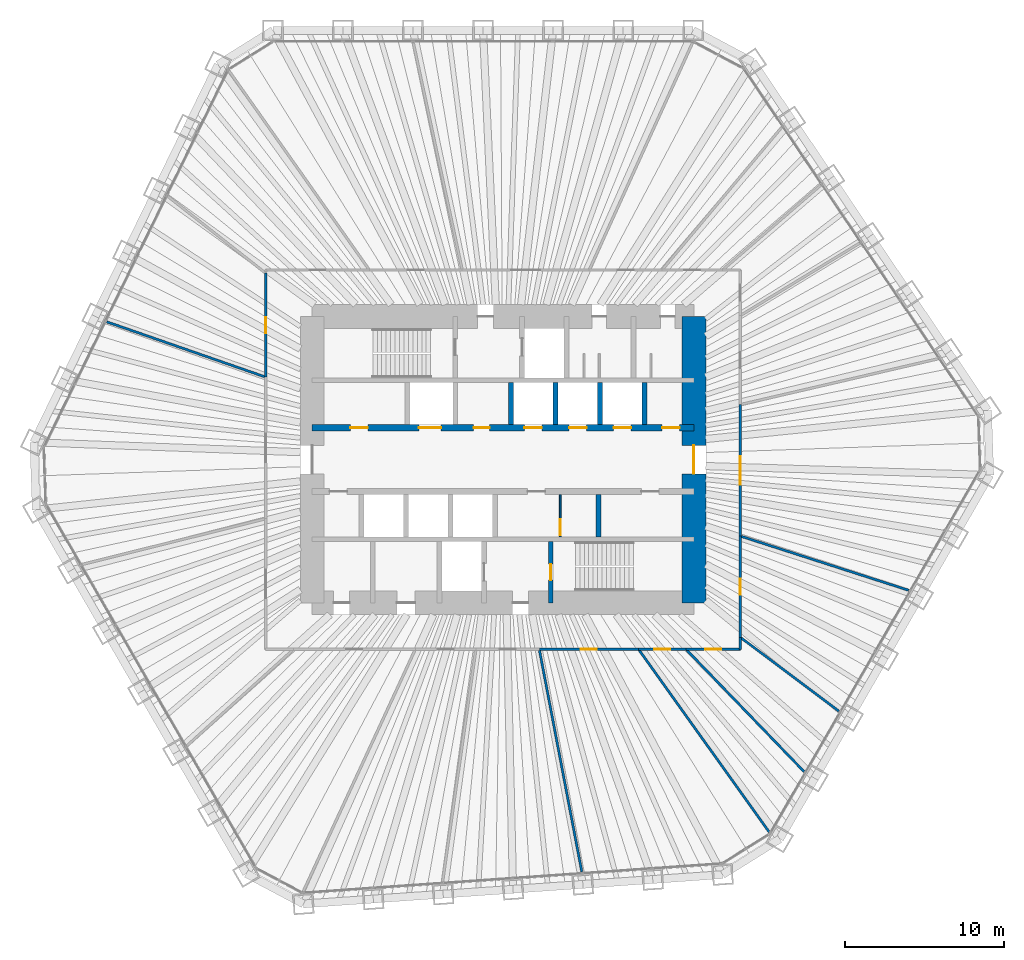
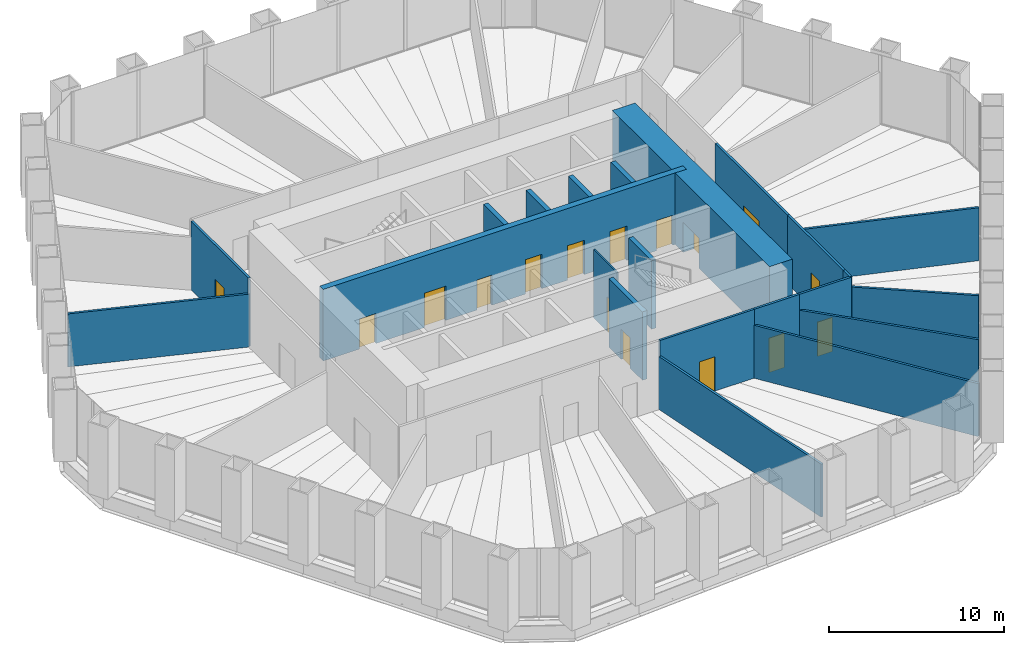
# One storey, part 11 of 14: 22 walls, 16 doors, 16 openings.
"""IFC4 building model written with IfcOpenShell, lengths in metres."""

from ifc_helpers import new_model, si_unit, direction, frame, frame_2d, origin, place, context, subcontext, project, spatial, rectangle, extrude, material, layer, layer_set, type_object, element, fill, save


model = new_model("IFC4")

# Units and contexts
model_context = context("Model", 3, precision=1e-05, world=origin(), true_north=direction((0.0, 1.0)))
body_context = subcontext(model_context, "Body", "Model", "MODEL_VIEW")
ifc_project = project(units=[si_unit("LENGTHUNIT", "METRE"), si_unit("AREAUNIT", "SQUARE_METRE"), si_unit("VOLUMEUNIT", "CUBIC_METRE"), si_unit("PLANEANGLEUNIT", "RADIAN"), si_unit("MASSUNIT", "GRAM", prefix="KILO")], contexts=[model_context])

# Site, building, storey
site_placement = place(None, origin())
site = spatial("IfcSite", under=ifc_project, at=site_placement, CompositionType="ELEMENT")
building_placement = place(site_placement, origin())
building = spatial("IfcBuilding", under=site, at=building_placement, Name="Qingtian Harvest Tower", CompositionType="ELEMENT")
storey_placement = place(building_placement, frame((0.0, 0.0, 82.0)))
storey = spatial("IfcBuildingStorey", under=building, at=storey_placement, Name="L16", CompositionType="ELEMENT", Elevation=82.0)

# Wall, openings, doors
ifc_material_1 = material(Name="Concrete fc' 70 MPa", Category="concrete")
ifc_layer_1 = layer(ifc_material_1, 0.39990234375)
ifc_layer_set_1 = layer_set([ifc_layer_1], Name="Core inner web RC6 400")
wall_type_1 = type_object("IfcWallType", Name="Core inner web RC6 400", PredefinedType="SHEAR", material=ifc_layer_set_1)
wall_1_placement = place(storey_placement, frame((-12.0, 2.0, 0.0), z_axis=(0.0, 0.0, 1.0), x_axis=(1.0, 0.0, 0.0)))
wall_1 = element("IfcWall", 1, at=wall_1_placement, inside=storey, type_object=wall_type_1, Name="Core wall IN2 L16", PredefinedType="SHEAR", context=body_context, shape_type="SweptSolid", body=[
    extrude(rectangle(XDim=24.0, YDim=0.39990234375, at=frame_2d((12.0, 0.0))), origin(), (0.0, 0.0, 1.0), 5.0),
])
opening_1_placement = place(wall_1_placement, frame((2.39990234375, 0.0, 0.0)))
opening_1 = element("IfcOpeningElement", 2, at=opening_1_placement, cuts=wall_1, Name="Opening FD4", PredefinedType="OPENING", context=body_context, shape_type="SweptSolid", body=[
    extrude(rectangle(XDim=1.10009765625, YDim=2.10009765625, at=frame_2d((0.550048828125, 1.050048828125))), frame((0.0, 0.2099609375, 0.0), z_axis=(0.0, -1.0, 0.0), x_axis=(1.0, 0.0, 0.0)), (0.0, 0.0, 1.0), 0.419921875),
])
opening_2_placement = place(wall_1_placement, frame((22.0, 0.0, 0.0)))
opening_2 = element("IfcOpeningElement", 3, at=opening_2_placement, cuts=wall_1, Name="Opening FD4", PredefinedType="OPENING", context=body_context, shape_type="SweptSolid", body=[
    extrude(rectangle(XDim=1.10009765625, YDim=2.10009765625, at=frame_2d((0.550048828125, 1.050048828125))), frame((0.0, 0.2099609375, 0.0), z_axis=(0.0, -1.0, 0.0), x_axis=(1.0, 0.0, 0.0)), (0.0, 0.0, 1.0), 0.419921875),
])
opening_3_placement = place(wall_1_placement, frame((10.14990234375, 0.0, 0.0)))
opening_3 = element("IfcOpeningElement", 4, at=opening_3_placement, cuts=wall_1, Name="Opening FD1", PredefinedType="OPENING", context=body_context, shape_type="SweptSolid", body=[
    extrude(rectangle(XDim=1.0, YDim=2.10009765625, at=frame_2d((0.5, 1.050048828125))), frame((0.0, 0.2099609375, 0.0), z_axis=(0.0, -1.0, 0.0), x_axis=(1.0, 0.0, 0.0)), (0.0, 0.0, 1.0), 0.419921875),
])
opening_4_placement = place(wall_1_placement, frame((6.699951171875, 0.0, 0.0)))
opening_4 = element("IfcOpeningElement", 5, at=opening_4_placement, cuts=wall_1, Name="Opening LD2", PredefinedType="OPENING", context=body_context, shape_type="SweptSolid", body=[
    extrude(rectangle(XDim=1.39990234375, YDim=2.39990234375, at=frame_2d((0.699951171875, 1.199951171875))), frame((0.0, 0.2099609375, 0.0), z_axis=(0.0, -1.0, 0.0), x_axis=(1.0, 0.0, 0.0)), (0.0, 0.0, 1.0), 0.419921875),
])
opening_5_placement = place(wall_1_placement, frame((13.35009765625, 0.0, 0.0)))
opening_5 = element("IfcOpeningElement", 6, at=opening_5_placement, cuts=wall_1, Name="Opening LD1", PredefinedType="OPENING", context=body_context, shape_type="SweptSolid", body=[
    extrude(rectangle(XDim=1.10009765625, YDim=2.39990234375, at=frame_2d((0.550048828125, 1.199951171875))), frame((0.0, 0.2099609375, 0.0), z_axis=(0.0, -1.0, 0.0), x_axis=(1.0, 0.0, 0.0)), (0.0, 0.0, 1.0), 0.419921875),
])
opening_6_placement = place(wall_1_placement, frame((16.14990234375, 0.0, 0.0)))
opening_6 = element("IfcOpeningElement", 7, at=opening_6_placement, cuts=wall_1, Name="Opening LD1", PredefinedType="OPENING", context=body_context, shape_type="SweptSolid", body=[
    extrude(rectangle(XDim=1.10009765625, YDim=2.39990234375, at=frame_2d((0.550048828125, 1.199951171875))), frame((0.0, 0.2099609375, 0.0), z_axis=(0.0, -1.0, 0.0), x_axis=(1.0, 0.0, 0.0)), (0.0, 0.0, 1.0), 0.419921875),
])
opening_7_placement = place(wall_1_placement, frame((18.949951171875, 0.0, 0.0)))
opening_7 = element("IfcOpeningElement", 8, at=opening_7_placement, cuts=wall_1, Name="Opening LD1", PredefinedType="OPENING", context=body_context, shape_type="SweptSolid", body=[
    extrude(rectangle(XDim=1.10009765625, YDim=2.39990234375, at=frame_2d((0.550048828125, 1.199951171875))), frame((0.0, 0.2099609375, 0.0), z_axis=(0.0, -1.0, 0.0), x_axis=(1.0, 0.0, 0.0)), (0.0, 0.0, 1.0), 0.419921875),
])
ifc_material_2 = material(Name="Steel-faced door leaf", Category="steel")
door_type_1 = type_object("IfcDoorType", Name="Fire door FD1 single 1 HR", OperationType="SINGLE_SWING_LEFT", PredefinedType="DOOR", material=ifc_material_2)
door_1_placement = place(opening_3_placement, origin())
door_1 = element("IfcDoor", 9, at=door_1_placement, inside=storey, type_object=door_type_1, Name="STA door L16", OperationType="SINGLE_SWING_RIGHT", OverallHeight=2.10009765625, OverallWidth=1.0, PredefinedType="DOOR", context=body_context, shape_type="SweptSolid", body=[
    extrude(rectangle(XDim=1.0, YDim=2.10009765625, at=frame_2d((0.5, 1.050048828125))), frame((0.0, 0.02490234375, 0.0), z_axis=(0.0, -1.0, 0.0), x_axis=(1.0, 0.0, 0.0)), (0.0, 0.0, 1.0), 0.050048828125),
])
fill(opening_3, door_1)
ifc_material_3 = material(Name="Steel-faced door leaf", Category="steel")
door_type_2 = type_object("IfcDoorType", Name="Fire door FD4 single 2 HR", OperationType="SINGLE_SWING_LEFT", PredefinedType="DOOR", material=ifc_material_3)
door_2_placement = place(opening_1_placement, origin())
door_2 = element("IfcDoor", 10, at=door_2_placement, inside=storey, type_object=door_type_2, Name="RA door L16", OperationType="SINGLE_SWING_RIGHT", OverallHeight=2.10009765625, OverallWidth=1.10009765625, PredefinedType="DOOR", context=body_context, shape_type="SweptSolid", body=[
    extrude(rectangle(XDim=1.10009765625, YDim=2.10009765625, at=frame_2d((0.550048828125, 1.050048828125))), frame((0.0, 0.02490234375, 0.0), z_axis=(0.0, -1.0, 0.0), x_axis=(1.0, 0.0, 0.0)), (0.0, 0.0, 1.0), 0.050048828125),
])
fill(opening_1, door_2)
door_3_placement = place(opening_2_placement, origin())
door_3 = element("IfcDoor", 11, at=door_3_placement, inside=storey, type_object=door_type_2, Name="AHU door L16", OperationType="SINGLE_SWING_LEFT", OverallHeight=2.10009765625, OverallWidth=1.10009765625, PredefinedType="DOOR", context=body_context, shape_type="SweptSolid", body=[
    extrude(rectangle(XDim=1.10009765625, YDim=2.10009765625, at=frame_2d((0.550048828125, 1.050048828125))), frame((0.0, 0.02490234375, 0.0), z_axis=(0.0, -1.0, 0.0), x_axis=(1.0, 0.0, 0.0)), (0.0, 0.0, 1.0), 0.050048828125),
])
fill(opening_2, door_3)
ifc_material_4 = material(Name="Stainless steel lift landing door", Category="steel")
door_type_3 = type_object("IfcDoorType", Name="Goods lift landing door LD2 1 HR", OperationType="DOUBLE_DOOR_SLIDING", PredefinedType="DOOR", material=ifc_material_4)
door_4_placement = place(opening_4_placement, origin())
door_4 = element("IfcDoor", 12, at=door_4_placement, inside=storey, type_object=door_type_3, Name="GL1 landing door L16", OperationType="DOUBLE_DOOR_SLIDING", OverallHeight=2.39990234375, OverallWidth=1.39990234375, PredefinedType="DOOR", context=body_context, shape_type="SweptSolid", body=[
    extrude(rectangle(XDim=1.39990234375, YDim=2.39990234375, at=frame_2d((0.699951171875, 1.199951171875))), frame((0.0, 0.02490234375, 0.0), z_axis=(0.0, -1.0, 0.0), x_axis=(1.0, 0.0, 0.0)), (0.0, 0.0, 1.0), 0.050048828125),
])
fill(opening_4, door_4)
ifc_material_5 = material(Name="Stainless steel lift landing door", Category="steel")
door_type_4 = type_object("IfcDoorType", Name="Lift landing door LD1 1 HR", OperationType="DOUBLE_DOOR_SLIDING", PredefinedType="DOOR", material=ifc_material_5)
door_5_placement = place(opening_5_placement, origin())
door_5 = element("IfcDoor", 13, at=door_5_placement, inside=storey, type_object=door_type_4, Name="PLA1 landing door L16", OperationType="DOUBLE_DOOR_SLIDING", OverallHeight=2.39990234375, OverallWidth=1.10009765625, PredefinedType="DOOR", context=body_context, shape_type="SweptSolid", body=[
    extrude(rectangle(XDim=1.10009765625, YDim=2.39990234375, at=frame_2d((0.550048828125, 1.199951171875))), frame((0.0, 0.02490234375, 0.0), z_axis=(0.0, -1.0, 0.0), x_axis=(1.0, 0.0, 0.0)), (0.0, 0.0, 1.0), 0.050048828125),
])
fill(opening_5, door_5)
door_6_placement = place(opening_6_placement, origin())
door_6 = element("IfcDoor", 14, at=door_6_placement, inside=storey, type_object=door_type_4, Name="PLA2 landing door L16", OperationType="DOUBLE_DOOR_SLIDING", OverallHeight=2.39990234375, OverallWidth=1.10009765625, PredefinedType="DOOR", context=body_context, shape_type="SweptSolid", body=[
    extrude(rectangle(XDim=1.10009765625, YDim=2.39990234375, at=frame_2d((0.550048828125, 1.199951171875))), frame((0.0, 0.02490234375, 0.0), z_axis=(0.0, -1.0, 0.0), x_axis=(1.0, 0.0, 0.0)), (0.0, 0.0, 1.0), 0.050048828125),
])
fill(opening_6, door_6)
door_7_placement = place(opening_7_placement, origin())
door_7 = element("IfcDoor", 15, at=door_7_placement, inside=storey, type_object=door_type_4, Name="PLA3 landing door L16", OperationType="DOUBLE_DOOR_SLIDING", OverallHeight=2.39990234375, OverallWidth=1.10009765625, PredefinedType="DOOR", context=body_context, shape_type="SweptSolid", body=[
    extrude(rectangle(XDim=1.10009765625, YDim=2.39990234375, at=frame_2d((0.550048828125, 1.199951171875))), frame((0.0, 0.02490234375, 0.0), z_axis=(0.0, -1.0, 0.0), x_axis=(1.0, 0.0, 0.0)), (0.0, 0.0, 1.0), 0.050048828125),
])
fill(opening_7, door_7)

# Walls
ifc_material_6 = material(Name="Precast concrete shaft panel", Category="concrete")
ifc_layer_2 = layer(ifc_material_6, 0.300048828125)
ifc_layer_set_2 = layer_set([ifc_layer_2], Name="Core shaft partition SW1 300")
wall_type_2 = type_object("IfcWallType", Name="Core shaft partition SW1 300", PredefinedType="PARTITIONING", material=ifc_layer_set_2)
for number, where, z_axis, x_axis, name in (
    (16, (0.5, 2.199951171875, 0.0), (0.0, 0.0, 1.0), (0.0, 1.0, 0.0), "Core shaft partition XA3 L16"),
    (17, (3.300048828125, 2.199951171875, 0.0), (0.0, 0.0, 1.0), (0.0, 1.0, 0.0), "Core shaft partition XA4 L16"),
    (18, (6.10009765625, 2.199951171875, 0.0), (0.0, 0.0, 1.0), (0.0, 1.0, 0.0), "Core shaft partition XA5 L16"),
    (19, (8.89990234375, 2.199951171875, 0.0), (0.0, 0.0, 1.0), (0.0, 1.0, 0.0), "Core shaft partition XA6 L16"),
    (20, (6.0, -4.85009765625, 0.0), (0.0, 0.0, 1.0), (0.0, 1.0, 0.0), "Core shaft partition XB5 L16"),
):
    element("IfcWall", number, at=place(storey_placement, frame(where, z_axis=z_axis, x_axis=x_axis)), inside=storey, type_object=wall_type_2, Name=name, PredefinedType="PARTITIONING", context=body_context, shape_type="SweptSolid", body=[
        extrude(rectangle(XDim=2.650146484375, YDim=0.300048828125, at=frame_2d((1.3251953125, 0.0))), origin(), (0.0, 0.0, 1.0), 4.780029296875),
    ])

# Wall, opening, door
wall_2_placement = place(storey_placement, frame((3.0, -9.0, 0.0), z_axis=(0.0, 0.0, 1.0), x_axis=(0.0, 1.0, 0.0)))
wall_2 = element("IfcWall", 21, at=wall_2_placement, inside=storey, type_object=wall_type_2, Name="Core shaft partition XS4 L16", PredefinedType="PARTITIONING", context=body_context, shape_type="SweptSolid", body=[
    extrude(rectangle(XDim=3.85009765625, YDim=0.300048828125, at=frame_2d((1.925048828125, 0.0))), origin(), (0.0, 0.0, 1.0), 4.780029296875),
])
opening_8_placement = place(wall_2_placement, frame((1.425048828125, 0.0, 0.0)))
opening_8 = element("IfcOpeningElement", 22, at=opening_8_placement, cuts=wall_2, Name="Opening FD1", PredefinedType="OPENING", context=body_context, shape_type="SweptSolid", body=[
    extrude(rectangle(XDim=1.0, YDim=2.10009765625, at=frame_2d((0.5, 1.050048828125))), frame((0.0, 0.159912109375, 0.0), z_axis=(0.0, -1.0, 0.0), x_axis=(1.0, 0.0, 0.0)), (0.0, 0.0, 1.0), 0.320068359375),
])
door_8_placement = place(opening_8_placement, origin())
door_8 = element("IfcDoor", 23, at=door_8_placement, inside=storey, type_object=door_type_1, Name="S2 door L16", OperationType="SINGLE_SWING_RIGHT", OverallHeight=2.10009765625, OverallWidth=1.0, PredefinedType="DOOR", context=body_context, shape_type="SweptSolid", body=[
    extrude(rectangle(XDim=1.0, YDim=2.10009765625, at=frame_2d((0.5, 1.050048828125))), frame((0.0, 0.02490234375, 0.0), z_axis=(0.0, -1.0, 0.0), x_axis=(1.0, 0.0, 0.0)), (0.0, 0.0, 1.0), 0.050048828125),
])
fill(opening_8, door_8)

ifc_material_7 = material(Name="Concrete fc' 70 MPa", Category="concrete")
ifc_layer_3 = layer(ifc_material_7, 1.5)
ifc_layer_set_3 = layer_set([ifc_layer_3], Name="Core wall RC1 1500")
wall_type_3 = type_object("IfcWallType", Name="Core wall RC1 1500", PredefinedType="SHEAR", material=ifc_layer_set_3)
wall_3_placement = place(storey_placement, frame((12.0, -9.0, 0.0), z_axis=(0.0, 0.0, 1.0), x_axis=(0.0, 1.0, 0.0)))
wall_3 = element("IfcWall", 24, at=wall_3_placement, inside=storey, type_object=wall_type_3, Name="Core wall CE L16", PredefinedType="SHEAR", context=body_context, shape_type="SweptSolid", body=[
    extrude(rectangle(XDim=18.0, YDim=1.5, at=frame_2d((9.0, 0.0))), origin(), (0.0, 0.0, 1.0), 5.0),
])
opening_9_placement = place(wall_3_placement, frame((8.10009765625, 0.0, 0.0)))
opening_9 = element("IfcOpeningElement", 25, at=opening_9_placement, cuts=wall_3, Name="Opening FD2", PredefinedType="OPENING", context=body_context, shape_type="SweptSolid", body=[
    extrude(rectangle(XDim=1.800048828125, YDim=2.10009765625, at=frame_2d((0.89990234375, 1.050048828125))), frame((0.0, 0.760009765625, 0.0), z_axis=(0.0, -1.0, 0.0), x_axis=(1.0, 0.0, 0.0)), (0.0, 0.0, 1.0), 1.52001953125),
])
ifc_material_8 = material(Name="Steel-faced door leaf", Category="steel")
door_type_5 = type_object("IfcDoorType", Name="Fire door FD2 double 1 HR", OperationType="DOUBLE_DOOR_DOUBLE_SWING", PredefinedType="DOOR", material=ifc_material_8)
door_9_placement = place(opening_9_placement, origin())
door_9 = element("IfcDoor", 26, at=door_9_placement, inside=storey, type_object=door_type_5, Name="LOBBY-E door L16", OperationType="DOUBLE_DOOR_DOUBLE_SWING", OverallHeight=2.10009765625, OverallWidth=1.800048828125, PredefinedType="DOOR", context=body_context, shape_type="SweptSolid", body=[
    extrude(rectangle(XDim=1.800048828125, YDim=2.10009765625, at=frame_2d((0.89990234375, 1.050048828125))), frame((0.0, 0.02490234375, 0.0), z_axis=(0.0, -1.0, 0.0), x_axis=(1.0, 0.0, 0.0)), (0.0, 0.0, 1.0), 0.050048828125),
])
fill(opening_9, door_9)

# Walls
ifc_material_9 = material(Name="Gypsum board on steel studs", Category="steel")
ifc_layer_4 = layer(ifc_material_9, 0.14990234375)
ifc_layer_set_4 = layer_set([ifc_layer_4], Name="Partition PT1 150")
wall_type_4 = type_object("IfcWallType", Name="Partition PT1 150", PredefinedType="PARTITIONING", material=ifc_layer_set_4)
wall_4_placement = place(storey_placement, frame((4.955078125, -25.918212890625, 0.0), z_axis=(0.0, 0.0, 1.0), x_axis=(-0.187784559803, 0.982210241801, 0.0)))
element("IfcWall", 27, at=wall_4_placement, inside=storey, type_object=wall_type_4, Name="Seed lab wall L16", PredefinedType="PARTITIONING", context=body_context, shape_type="SweptSolid", body=[
    extrude(rectangle(XDim=14.24658203125, YDim=0.14990234375, at=frame_2d((7.123291015625, 0.0))), origin(), (0.0, 0.0, 1.0), 3.699951171875),
])
wall_5_placement = place(storey_placement, frame((-24.92333984375, 8.66796875, 0.0), z_axis=(0.0, 0.0, 1.0), x_axis=(0.944507686068, -0.328489316354, 0.0)))
element("IfcWall", 28, at=wall_5_placement, inside=storey, type_object=wall_type_4, Name="Genomics lab wall L16", PredefinedType="PARTITIONING", context=body_context, shape_type="SweptSolid", body=[
    extrude(rectangle(XDim=10.585693359375, YDim=0.14990234375, at=frame_2d((5.29296875, 0.0))), origin(), (0.0, 0.0, 1.0), 3.699951171875),
])

# Wall, opening, door
wall_6_placement = place(storey_placement, frame((-14.925048828125, 5.190673828125, 0.0), z_axis=(0.0, 0.0, 1.0), x_axis=(0.0, 1.0, 0.0)))
wall_6 = element("IfcWall", 29, at=wall_6_placement, inside=storey, type_object=wall_type_4, Name="Genomics lab wall L16", PredefinedType="PARTITIONING", context=body_context, shape_type="SweptSolid", body=[
    extrude(rectangle(XDim=6.533203125, YDim=0.14990234375, at=frame_2d((3.2666015625, 0.0))), origin(), (0.0, 0.0, 1.0), 4.800048828125),
])
opening_10_placement = place(wall_6_placement, frame((2.7666015625, 0.0, 0.0)))
opening_10 = element("IfcOpeningElement", 30, at=opening_10_placement, cuts=wall_6, Name="Opening D2", PredefinedType="OPENING", context=body_context, shape_type="SweptSolid", body=[
    extrude(rectangle(XDim=1.0, YDim=2.39990234375, at=frame_2d((0.5, 1.199951171875))), frame((0.0, 0.0849609375, 0.0), z_axis=(0.0, -1.0, 0.0), x_axis=(1.0, 0.0, 0.0)), (0.0, 0.0, 1.0), 0.169921875),
])
ifc_material_10 = material(Name="Laminated timber door leaf", Category="wood")
door_type_6 = type_object("IfcDoorType", Name="Room door D2 single", OperationType="SINGLE_SWING_LEFT", PredefinedType="DOOR", material=ifc_material_10)
door_10_placement = place(opening_10_placement, origin())
door_10 = element("IfcDoor", 31, at=door_10_placement, inside=storey, type_object=door_type_6, Name="Genomics lab door L16", OperationType="SINGLE_SWING_LEFT", OverallHeight=2.39990234375, OverallWidth=1.0, PredefinedType="DOOR", context=body_context, shape_type="SweptSolid", body=[
    extrude(rectangle(XDim=1.0, YDim=2.39990234375, at=frame_2d((0.5, 1.199951171875))), frame((0.0, 0.02490234375, 0.0), z_axis=(0.0, -1.0, 0.0), x_axis=(1.0, 0.0, 0.0)), (0.0, 0.0, 1.0), 0.050048828125),
])
fill(opening_10, door_10)

wall_7_placement = place(storey_placement, frame((14.925048828125, 3.460693359375, 0.0), z_axis=(0.0, 0.0, 1.0), x_axis=(0.0, -1.0, 0.0)))
wall_7 = element("IfcWall", 32, at=wall_7_placement, inside=storey, type_object=wall_type_4, Name="Specimen store wall L16", PredefinedType="PARTITIONING", context=body_context, shape_type="SweptSolid", body=[
    extrude(rectangle(XDim=8.266845703125, YDim=0.14990234375, at=frame_2d((4.13330078125, 0.0))), origin(), (0.0, 0.0, 1.0), 4.800048828125),
])
opening_11_placement = place(wall_7_placement, frame((3.2333984375, 0.0, 0.0)))
opening_11 = element("IfcOpeningElement", 33, at=opening_11_placement, cuts=wall_7, Name="Opening D3", PredefinedType="OPENING", context=body_context, shape_type="SweptSolid", body=[
    extrude(rectangle(XDim=1.800048828125, YDim=2.39990234375, at=frame_2d((0.89990234375, 1.199951171875))), frame((0.0, 0.0849609375, 0.0), z_axis=(0.0, -1.0, 0.0), x_axis=(1.0, 0.0, 0.0)), (0.0, 0.0, 1.0), 0.169921875),
])
ifc_material_11 = material(Name="Laminated timber door leaf", Category="wood")
door_type_7 = type_object("IfcDoorType", Name="Room door D3 double", OperationType="DOUBLE_DOOR_DOUBLE_SWING", PredefinedType="DOOR", material=ifc_material_11)
door_11_placement = place(opening_11_placement, origin())
door_11 = element("IfcDoor", 34, at=door_11_placement, inside=storey, type_object=door_type_7, Name="Specimen store door L16", OperationType="DOUBLE_DOOR_DOUBLE_SWING", OverallHeight=2.39990234375, OverallWidth=1.800048828125, PredefinedType="DOOR", context=body_context, shape_type="SweptSolid", body=[
    extrude(rectangle(XDim=1.800048828125, YDim=2.39990234375, at=frame_2d((0.89990234375, 1.199951171875))), frame((0.0, 0.02490234375, 0.0), z_axis=(0.0, -1.0, 0.0), x_axis=(1.0, 0.0, 0.0)), (0.0, 0.0, 1.0), 0.050048828125),
])
fill(opening_11, door_11)

# Wall
wall_8_placement = place(storey_placement, frame((25.512451171875, -8.215576171875, 0.0), z_axis=(0.0, 0.0, 1.0), x_axis=(-0.951862620244, 0.306524961761, 0.0)))
element("IfcWall", 35, at=wall_8_placement, inside=storey, type_object=wall_type_4, Name="Research office wall L16", PredefinedType="PARTITIONING", context=body_context, shape_type="SweptSolid", body=[
    extrude(rectangle(XDim=11.122802734375, YDim=0.14990234375, at=frame_2d((5.5615234375, 0.0))), origin(), (0.0, 0.0, 1.0), 3.699951171875),
])

# Wall, opening, door
wall_9_placement = place(storey_placement, frame((14.925048828125, -4.80615234375, 0.0), z_axis=(0.0, 0.0, 1.0), x_axis=(0.0, -1.0, 0.0)))
wall_9 = element("IfcWall", 36, at=wall_9_placement, inside=storey, type_object=wall_type_4, Name="Research office wall L16", PredefinedType="PARTITIONING", context=body_context, shape_type="SweptSolid", body=[
    extrude(rectangle(XDim=6.36865234375, YDim=0.14990234375, at=frame_2d((3.184326171875, 0.0))), origin(), (0.0, 0.0, 1.0), 4.800048828125),
])
opening_12_placement = place(wall_9_placement, frame((2.684326171875, 0.0, 0.0)))
opening_12 = element("IfcOpeningElement", 37, at=opening_12_placement, cuts=wall_9, Name="Opening D2", PredefinedType="OPENING", context=body_context, shape_type="SweptSolid", body=[
    extrude(rectangle(XDim=1.0, YDim=2.39990234375, at=frame_2d((0.5, 1.199951171875))), frame((0.0, 0.0849609375, 0.0), z_axis=(0.0, -1.0, 0.0), x_axis=(1.0, 0.0, 0.0)), (0.0, 0.0, 1.0), 0.169921875),
])
door_12_placement = place(opening_12_placement, origin())
door_12 = element("IfcDoor", 38, at=door_12_placement, inside=storey, type_object=door_type_6, Name="Research office door L16", OperationType="SINGLE_SWING_RIGHT", OverallHeight=2.39990234375, OverallWidth=1.0, PredefinedType="DOOR", context=body_context, shape_type="SweptSolid", body=[
    extrude(rectangle(XDim=1.0, YDim=2.39990234375, at=frame_2d((0.5, 1.199951171875))), frame((0.0, 0.02490234375, 0.0), z_axis=(0.0, -1.0, 0.0), x_axis=(1.0, 0.0, 0.0)), (0.0, 0.0, 1.0), 0.050048828125),
])
fill(opening_12, door_12)

# Walls
wall_10_placement = place(storey_placement, frame((21.123046875, -15.8154296875, 0.0), z_axis=(0.0, 0.0, 1.0), x_axis=(-0.800487841468, 0.59934899321, 0.0)))
element("IfcWall", 39, at=wall_10_placement, inside=storey, type_object=wall_type_4, Name="Seed store wall L16", PredefinedType="PARTITIONING", context=body_context, shape_type="SweptSolid", body=[
    extrude(rectangle(XDim=7.74267578125, YDim=0.14990234375, at=frame_2d((3.871337890625, 0.0))), origin(), (0.0, 0.0, 1.0), 3.699951171875),
])
wall_11_placement = place(storey_placement, frame((14.925048828125, -11.1748046875, 0.0), z_axis=(0.0, 0.0, 1.0), x_axis=(0.0, -1.0, 0.0)))
element("IfcWall", 40, at=wall_11_placement, inside=storey, type_object=wall_type_4, Name="Seed store wall L16", PredefinedType="PARTITIONING", context=body_context, shape_type="SweptSolid", body=[
    extrude(rectangle(XDim=0.750244140625, YDim=0.14990234375, at=frame_2d((0.375, 0.0))), origin(), (0.0, 0.0, 1.0), 4.800048828125),
])

# Wall, opening, door
wall_12_placement = place(storey_placement, frame((14.925048828125, -11.925048828125, 0.0), z_axis=(0.0, 0.0, 1.0), x_axis=(-1.0, 0.0, 0.0)))
wall_12 = element("IfcWall", 41, at=wall_12_placement, inside=storey, type_object=wall_type_4, Name="Seed store wall L16", PredefinedType="PARTITIONING", context=body_context, shape_type="SweptSolid", body=[
    extrude(rectangle(XDim=3.41748046875, YDim=0.14990234375, at=frame_2d((1.708740234375, 0.0))), origin(), (0.0, 0.0, 1.0), 4.800048828125),
])
opening_13_placement = place(wall_12_placement, frame((1.208740234375, 0.0, 0.0)))
opening_13 = element("IfcOpeningElement", 42, at=opening_13_placement, cuts=wall_12, Name="Opening D2", PredefinedType="OPENING", context=body_context, shape_type="SweptSolid", body=[
    extrude(rectangle(XDim=1.0, YDim=2.39990234375, at=frame_2d((0.5, 1.199951171875))), frame((0.0, 0.0849609375, 0.0), z_axis=(0.0, -1.0, 0.0), x_axis=(1.0, 0.0, 0.0)), (0.0, 0.0, 1.0), 0.169921875),
])
door_13_placement = place(opening_13_placement, origin())
door_13 = element("IfcDoor", 43, at=door_13_placement, inside=storey, type_object=door_type_6, Name="Seed store door L16", OperationType="SINGLE_SWING_LEFT", OverallHeight=2.39990234375, OverallWidth=1.0, PredefinedType="DOOR", context=body_context, shape_type="SweptSolid", body=[
    extrude(rectangle(XDim=1.0, YDim=2.39990234375, at=frame_2d((0.5, 1.199951171875))), frame((0.0, 0.02490234375, 0.0), z_axis=(0.0, -1.0, 0.0), x_axis=(1.0, 0.0, 0.0)), (0.0, 0.0, 1.0), 0.050048828125),
])
fill(opening_13, door_13)

# Wall
wall_13_placement = place(storey_placement, frame((18.93115234375, -19.617919921875, 0.0), z_axis=(0.0, 0.0, 1.0), x_axis=(-0.694400087022, 0.719589132175, 0.0)))
element("IfcWall", 44, at=wall_13_placement, inside=storey, type_object=wall_type_4, Name="Pantry wall L16", PredefinedType="PARTITIONING", context=body_context, shape_type="SweptSolid", body=[
    extrude(rectangle(XDim=10.690673828125, YDim=0.14990234375, at=frame_2d((5.34521484375, 0.0))), origin(), (0.0, 0.0, 1.0), 3.699951171875),
])

# Wall, opening, door
wall_14_placement = place(storey_placement, frame((11.507568359375, -11.925048828125, 0.0), z_axis=(0.0, 0.0, 1.0), x_axis=(-1.0, 0.0, 0.0)))
wall_14 = element("IfcWall", 45, at=wall_14_placement, inside=storey, type_object=wall_type_4, Name="Pantry wall L16", PredefinedType="PARTITIONING", context=body_context, shape_type="SweptSolid", body=[
    extrude(rectangle(XDim=2.98486328125, YDim=0.14990234375, at=frame_2d((1.492431640625, 0.0))), origin(), (0.0, 0.0, 1.0), 4.800048828125),
])
opening_14_placement = place(wall_14_placement, frame((0.992431640625, 0.0, 0.0)))
opening_14 = element("IfcOpeningElement", 46, at=opening_14_placement, cuts=wall_14, Name="Opening D2", PredefinedType="OPENING", context=body_context, shape_type="SweptSolid", body=[
    extrude(rectangle(XDim=1.0, YDim=2.39990234375, at=frame_2d((0.5, 1.199951171875))), frame((0.0, 0.0849609375, 0.0), z_axis=(0.0, -1.0, 0.0), x_axis=(1.0, 0.0, 0.0)), (0.0, 0.0, 1.0), 0.169921875),
])
door_14_placement = place(opening_14_placement, origin())
door_14 = element("IfcDoor", 47, at=door_14_placement, inside=storey, type_object=door_type_6, Name="Pantry door L16", OperationType="SINGLE_SWING_LEFT", OverallHeight=2.39990234375, OverallWidth=1.0, PredefinedType="DOOR", context=body_context, shape_type="SweptSolid", body=[
    extrude(rectangle(XDim=1.0, YDim=2.39990234375, at=frame_2d((0.5, 1.199951171875))), frame((0.0, 0.02490234375, 0.0), z_axis=(0.0, -1.0, 0.0), x_axis=(1.0, 0.0, 0.0)), (0.0, 0.0, 1.0), 0.050048828125),
])
fill(opening_14, door_14)

# Wall
wall_15_placement = place(storey_placement, frame((16.740234375, -23.423095703125, 0.0), z_axis=(0.0, 0.0, 1.0), x_axis=(-0.581455509775, 0.813578201621, 0.0)))
element("IfcWall", 48, at=wall_15_placement, inside=storey, type_object=wall_type_4, Name="Meeting room wall L16", PredefinedType="PARTITIONING", context=body_context, shape_type="SweptSolid", body=[
    extrude(rectangle(XDim=14.132568359375, YDim=0.14990234375, at=frame_2d((7.06640625, 0.0))), origin(), (0.0, 0.0, 1.0), 3.699951171875),
])

# Wall, opening, door
wall_16_placement = place(storey_placement, frame((8.522705078125, -11.925048828125, 0.0), z_axis=(0.0, 0.0, 1.0), x_axis=(-1.0, 0.0, 0.0)))
wall_16 = element("IfcWall", 49, at=wall_16_placement, inside=storey, type_object=wall_type_4, Name="Meeting room wall L16", PredefinedType="PARTITIONING", context=body_context, shape_type="SweptSolid", body=[
    extrude(rectangle(XDim=6.242919921875, YDim=0.14990234375, at=frame_2d((3.12158203125, 0.0))), origin(), (0.0, 0.0, 1.0), 4.800048828125),
])
opening_15_placement = place(wall_16_placement, frame((2.621337890625, 0.0, 0.0)))
opening_15 = element("IfcOpeningElement", 50, at=opening_15_placement, cuts=wall_16, Name="Opening D2", PredefinedType="OPENING", context=body_context, shape_type="SweptSolid", body=[
    extrude(rectangle(XDim=1.0, YDim=2.39990234375, at=frame_2d((0.5, 1.199951171875))), frame((0.0, 0.0849609375, 0.0), z_axis=(0.0, -1.0, 0.0), x_axis=(1.0, 0.0, 0.0)), (0.0, 0.0, 1.0), 0.169921875),
])
door_15_placement = place(opening_15_placement, origin())
door_15 = element("IfcDoor", 51, at=door_15_placement, inside=storey, type_object=door_type_6, Name="Meeting room door L16", OperationType="SINGLE_SWING_LEFT", OverallHeight=2.39990234375, OverallWidth=1.0, PredefinedType="DOOR", context=body_context, shape_type="SweptSolid", body=[
    extrude(rectangle(XDim=1.0, YDim=2.39990234375, at=frame_2d((0.5, 1.199951171875))), frame((0.0, 0.02490234375, 0.0), z_axis=(0.0, -1.0, 0.0), x_axis=(1.0, 0.0, 0.0)), (0.0, 0.0, 1.0), 0.050048828125),
])
fill(opening_15, door_15)

ifc_material_12 = material(Name="Concrete block partition", Category="concrete")
ifc_layer_5 = layer(ifc_material_12, 0.10009765625)
ifc_layer_set_5 = layer_set([ifc_layer_5], Name="Store partition PT3 100")
wall_type_5 = type_object("IfcWallType", Name="Store partition PT3 100", PredefinedType="PARTITIONING", material=ifc_layer_set_5)
wall_17_placement = place(storey_placement, frame((3.60009765625, -4.85009765625, 0.0), z_axis=(0.0, 0.0, 1.0), x_axis=(0.0, 1.0, 0.0)))
wall_17 = element("IfcWall", 52, at=wall_17_placement, inside=storey, type_object=wall_type_5, Name="Control room wall L16", PredefinedType="PARTITIONING", context=body_context, shape_type="SweptSolid", body=[
    extrude(rectangle(XDim=2.650146484375, YDim=0.10009765625, at=frame_2d((1.3251953125, 0.0))), origin(), (0.0, 0.0, 1.0), 4.780029296875),
])
opening_16_placement = place(wall_17_placement, frame((0.10009765625, 0.0, 0.0)))
opening_16 = element("IfcOpeningElement", 53, at=opening_16_placement, cuts=wall_17, Name="Opening D2", PredefinedType="OPENING", context=body_context, shape_type="SweptSolid", body=[
    extrude(rectangle(XDim=1.0, YDim=2.39990234375, at=frame_2d((0.5, 1.199951171875))), frame((0.0, 0.06005859375, 0.0), z_axis=(0.0, -1.0, 0.0), x_axis=(1.0, 0.0, 0.0)), (0.0, 0.0, 1.0), 0.1201171875),
])
door_16_placement = place(opening_16_placement, origin())
door_16 = element("IfcDoor", 54, at=door_16_placement, inside=storey, type_object=door_type_6, Name="Control room door L16", OperationType="SINGLE_SWING_RIGHT", OverallHeight=2.39990234375, OverallWidth=1.0, PredefinedType="DOOR", context=body_context, shape_type="SweptSolid", body=[
    extrude(rectangle(XDim=1.0, YDim=2.39990234375, at=frame_2d((0.5, 1.199951171875))), frame((0.0, 0.02490234375, 0.0), z_axis=(0.0, -1.0, 0.0), x_axis=(1.0, 0.0, 0.0)), (0.0, 0.0, 1.0), 0.050048828125),
])
fill(opening_16, door_16)

save(model, "model.ifc")
